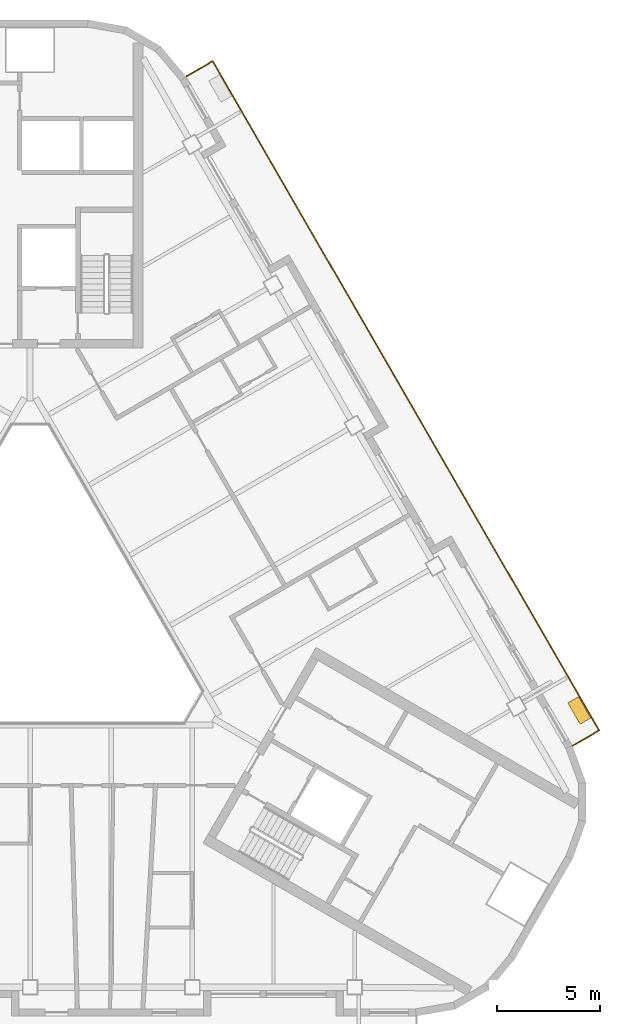
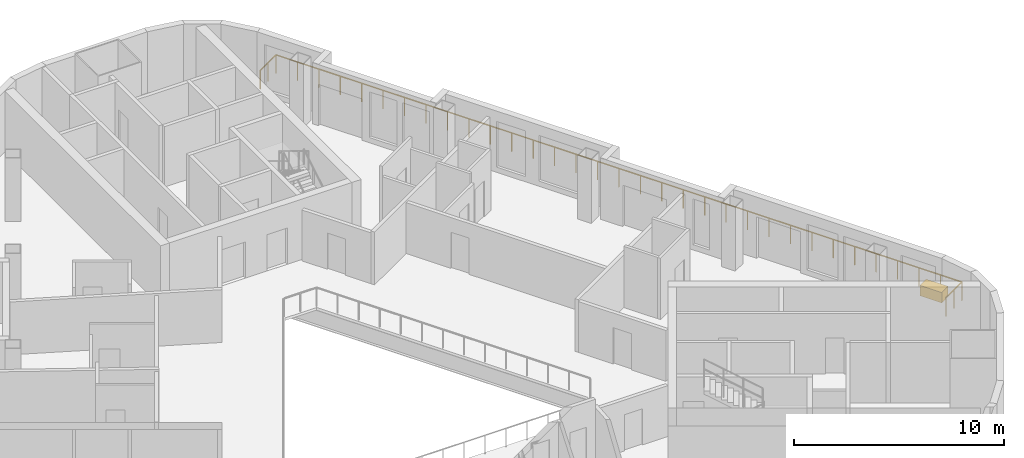
# One storey, part 13 of 14: 1 covering, 1 railing.
"""IFC4 building model written with IfcOpenShell, lengths in metres."""

from ifc_helpers import new_model, si_unit, direction, frame, origin, origin_2d, place, context, subcontext, project, spatial, rectangle, extrude, material, type_object, element, save


model = new_model("IFC4")

# Units and contexts
model_context = context("Model", 3, precision=1e-05, world=origin(), true_north=direction((0.0, 1.0)))
body_context = subcontext(model_context, "Body", "Model", "MODEL_VIEW")
ifc_project = project(units=[si_unit("LENGTHUNIT", "METRE"), si_unit("AREAUNIT", "SQUARE_METRE"), si_unit("VOLUMEUNIT", "CUBIC_METRE"), si_unit("PLANEANGLEUNIT", "RADIAN"), si_unit("MASSUNIT", "GRAM", prefix="KILO")], contexts=[model_context])

# Site, building, storey
site_placement = place(None, origin())
site = spatial("IfcSite", under=ifc_project, at=site_placement, CompositionType="ELEMENT")
building_placement = place(site_placement, origin())
building = spatial("IfcBuilding", under=site, at=building_placement, Name="Apuvela Tower Hotel", CompositionType="ELEMENT")
storey_placement = place(building_placement, frame((0.0, 0.0, 220.60009765625)))
storey = spatial("IfcBuildingStorey", under=building, at=storey_placement, Name="L54", CompositionType="ELEMENT", Elevation=220.60009765625)

# Railing
ifc_material_1 = material(Name="Stainless steel 316 rail with laminated glass infill", Category="steel")
railing_type = type_object("IfcRailingType", Name="ENV-GUARD-1100", PredefinedType="GUARDRAIL", material=ifc_material_1)
railing_placement = place(storey_placement, frame((26.407958984375, -6.47998046875, 0.0)))
element("IfcRailing", 1, at=railing_placement, inside=storey, type_object=railing_type, Name="Balcony guard NE L54", PredefinedType="GUARDRAIL", context=body_context, shape_type="SweptSolid", body=[
    extrude(rectangle(XDim=0.050048828125, YDim=0.050048828125, at=origin_2d()), frame((0.0, 0.0, 1.0751953125), z_axis=(0.866031096941, 0.499990139034, 0.0), x_axis=(-0.499990139034, 0.866031096941, 0.0)), (0.0, 0.0, 1.0), 1.5),
    extrude(rectangle(XDim=0.050048828125, YDim=0.050048828125, at=origin_2d()), frame((1.299072265625, 0.75, 1.0751953125), z_axis=(-0.500000437506, 0.86602515119, 0.0), x_axis=(-0.86602515119, -0.500000437506, 0.0)), (0.0, 0.0, 1.0), 37.6318359375),
    extrude(rectangle(XDim=0.050048828125, YDim=0.050048828125, at=origin_2d()), frame((-17.516845703125, 33.340087890625, 1.0751953125), z_axis=(-0.86599040064, -0.500060622324, 0.0), x_axis=(0.500060622324, -0.86599040064, 0.0)), (0.0, 0.0, 1.0), 1.499755859375),
    extrude(rectangle(XDim=0.0400390625, YDim=0.0400390625, at=origin_2d()), origin(), (0.0, 0.0, 1.0), 1.050048828125),
    extrude(rectangle(XDim=0.0400390625, YDim=0.0400390625, at=origin_2d()), frame((0.6494140625, 0.375, 0.0)), (0.0, 0.0, 1.0), 1.050048828125),
    extrude(rectangle(XDim=0.0400390625, YDim=0.0400390625, at=origin_2d()), frame((1.299072265625, 0.75, 0.0)), (0.0, 0.0, 1.0), 1.050048828125),
    extrude(rectangle(XDim=0.0400390625, YDim=0.0400390625, at=origin_2d()), frame((0.711181640625, 1.7685546875, 0.0)), (0.0, 0.0, 1.0), 1.050048828125),
    extrude(rectangle(XDim=0.0400390625, YDim=0.0400390625, at=origin_2d()), frame((0.123046875, 2.786865234375, 0.0)), (0.0, 0.0, 1.0), 1.050048828125),
    extrude(rectangle(XDim=0.0400390625, YDim=0.0400390625, at=origin_2d()), frame((-0.46484375, 3.805419921875, 0.0)), (0.0, 0.0, 1.0), 1.050048828125),
    extrude(rectangle(XDim=0.0400390625, YDim=0.0400390625, at=origin_2d()), frame((-1.052978515625, 4.82373046875, 0.0)), (0.0, 0.0, 1.0), 1.050048828125),
    extrude(rectangle(XDim=0.0400390625, YDim=0.0400390625, at=origin_2d()), frame((-1.640869140625, 5.84228515625, 0.0)), (0.0, 0.0, 1.0), 1.050048828125),
    extrude(rectangle(XDim=0.0400390625, YDim=0.0400390625, at=origin_2d()), frame((-2.22900390625, 6.860595703125, 0.0)), (0.0, 0.0, 1.0), 1.050048828125),
    extrude(rectangle(XDim=0.0400390625, YDim=0.0400390625, at=origin_2d()), frame((-2.81689453125, 7.879150390625, 0.0)), (0.0, 0.0, 1.0), 1.050048828125),
    extrude(rectangle(XDim=0.0400390625, YDim=0.0400390625, at=origin_2d()), frame((-3.40478515625, 8.8974609375, 0.0)), (0.0, 0.0, 1.0), 1.050048828125),
    extrude(rectangle(XDim=0.0400390625, YDim=0.0400390625, at=origin_2d()), frame((-3.992919921875, 9.916015625, 0.0)), (0.0, 0.0, 1.0), 1.050048828125),
    extrude(rectangle(XDim=0.0400390625, YDim=0.0400390625, at=origin_2d()), frame((-4.580810546875, 10.934326171875, 0.0)), (0.0, 0.0, 1.0), 1.050048828125),
    extrude(rectangle(XDim=0.0400390625, YDim=0.0400390625, at=origin_2d()), frame((-5.1689453125, 11.952880859375, 0.0)), (0.0, 0.0, 1.0), 1.050048828125),
    extrude(rectangle(XDim=0.0400390625, YDim=0.0400390625, at=origin_2d()), frame((-5.7568359375, 12.97119140625, 0.0)), (0.0, 0.0, 1.0), 1.050048828125),
    extrude(rectangle(XDim=0.0400390625, YDim=0.0400390625, at=origin_2d()), frame((-6.344970703125, 13.98974609375, 0.0)), (0.0, 0.0, 1.0), 1.050048828125),
    extrude(rectangle(XDim=0.0400390625, YDim=0.0400390625, at=origin_2d()), frame((-6.932861328125, 15.008056640625, 0.0)), (0.0, 0.0, 1.0), 1.050048828125),
    extrude(rectangle(XDim=0.0400390625, YDim=0.0400390625, at=origin_2d()), frame((-7.52099609375, 16.026611328125, 0.0)), (0.0, 0.0, 1.0), 1.050048828125),
    extrude(rectangle(XDim=0.0400390625, YDim=0.0400390625, at=origin_2d()), frame((-8.10888671875, 17.044921875, 0.0)), (0.0, 0.0, 1.0), 1.050048828125),
    extrude(rectangle(XDim=0.0400390625, YDim=0.0400390625, at=origin_2d()), frame((-8.69677734375, 18.0634765625, 0.0)), (0.0, 0.0, 1.0), 1.050048828125),
    extrude(rectangle(XDim=0.0400390625, YDim=0.0400390625, at=origin_2d()), frame((-9.284912109375, 19.08203125, 0.0)), (0.0, 0.0, 1.0), 1.050048828125),
    extrude(rectangle(XDim=0.0400390625, YDim=0.0400390625, at=origin_2d()), frame((-9.872802734375, 20.100341796875, 0.0)), (0.0, 0.0, 1.0), 1.050048828125),
    extrude(rectangle(XDim=0.0400390625, YDim=0.0400390625, at=origin_2d()), frame((-10.4609375, 21.118896484375, 0.0)), (0.0, 0.0, 1.0), 1.050048828125),
    extrude(rectangle(XDim=0.0400390625, YDim=0.0400390625, at=origin_2d()), frame((-11.048828125, 22.13720703125, 0.0)), (0.0, 0.0, 1.0), 1.050048828125),
    extrude(rectangle(XDim=0.0400390625, YDim=0.0400390625, at=origin_2d()), frame((-11.636962890625, 23.15576171875, 0.0)), (0.0, 0.0, 1.0), 1.050048828125),
    extrude(rectangle(XDim=0.0400390625, YDim=0.0400390625, at=origin_2d()), frame((-12.224853515625, 24.174072265625, 0.0)), (0.0, 0.0, 1.0), 1.050048828125),
    extrude(rectangle(XDim=0.0400390625, YDim=0.0400390625, at=origin_2d()), frame((-12.81298828125, 25.192626953125, 0.0)), (0.0, 0.0, 1.0), 1.050048828125),
    extrude(rectangle(XDim=0.0400390625, YDim=0.0400390625, at=origin_2d()), frame((-13.40087890625, 26.2109375, 0.0)), (0.0, 0.0, 1.0), 1.050048828125),
    extrude(rectangle(XDim=0.0400390625, YDim=0.0400390625, at=origin_2d()), frame((-13.98876953125, 27.2294921875, 0.0)), (0.0, 0.0, 1.0), 1.050048828125),
    extrude(rectangle(XDim=0.0400390625, YDim=0.0400390625, at=origin_2d()), frame((-14.576904296875, 28.247802734375, 0.0)), (0.0, 0.0, 1.0), 1.050048828125),
    extrude(rectangle(XDim=0.0400390625, YDim=0.0400390625, at=origin_2d()), frame((-15.164794921875, 29.266357421875, 0.0)), (0.0, 0.0, 1.0), 1.050048828125),
    extrude(rectangle(XDim=0.0400390625, YDim=0.0400390625, at=origin_2d()), frame((-15.7529296875, 30.28466796875, 0.0)), (0.0, 0.0, 1.0), 1.050048828125),
    extrude(rectangle(XDim=0.0400390625, YDim=0.0400390625, at=origin_2d()), frame((-16.3408203125, 31.30322265625, 0.0)), (0.0, 0.0, 1.0), 1.050048828125),
    extrude(rectangle(XDim=0.0400390625, YDim=0.0400390625, at=origin_2d()), frame((-16.928955078125, 32.321533203125, 0.0)), (0.0, 0.0, 1.0), 1.050048828125),
    extrude(rectangle(XDim=0.0400390625, YDim=0.0400390625, at=origin_2d()), frame((-17.516845703125, 33.340087890625, 0.0)), (0.0, 0.0, 1.0), 1.050048828125),
    extrude(rectangle(XDim=0.0400390625, YDim=0.0400390625, at=origin_2d()), frame((-18.166259765625, 32.965087890625, 0.0)), (0.0, 0.0, 1.0), 1.050048828125),
    extrude(rectangle(XDim=0.0400390625, YDim=0.0400390625, at=origin_2d()), frame((-18.815673828125, 32.590087890625, 0.0)), (0.0, 0.0, 1.0), 1.050048828125),
])

# Covering
ifc_material_2 = material(Name="Planting substrate and soil, planted")
covering_type = type_object("IfcCoveringType", Name="ENV-PLANTER-1200x600", PredefinedType="USERDEFINED", material=ifc_material_2)
covering_placement = place(storey_placement, frame((26.739013671875, -4.753173828125, -0.000244140625), z_axis=(0.0, 0.0, 1.0), x_axis=(-0.5, 0.866025403784, 0.0)))
element("IfcCovering", 2, at=covering_placement, inside=storey, type_object=covering_type, Name="Planter NE2", ObjectType="PLANTER", PredefinedType="USERDEFINED", context=body_context, shape_type="SweptSolid", body=[
    extrude(rectangle(XDim=1.199951171875, YDim=0.60009765625, at=origin_2d()), origin(), (0.0, 0.0, 1.0), 0.60009765625),
])

save(model, "model.ifc")
